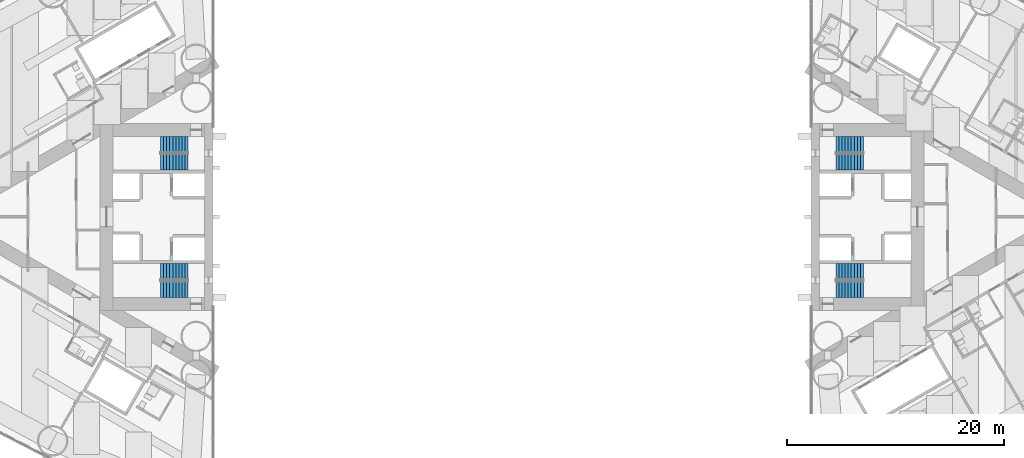
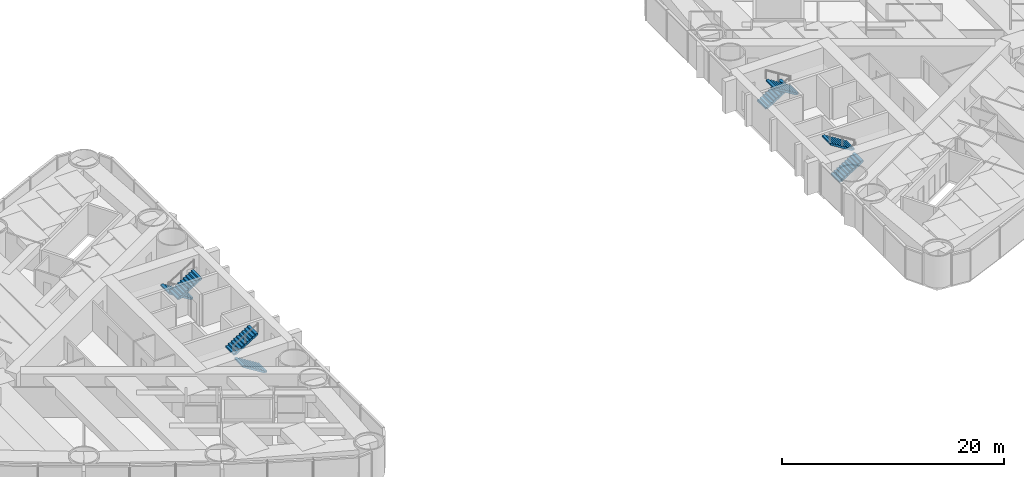
# One storey, part 17 of 19: 8 stair flights, 4 elements without a shape of their own.
"""IFC4 building model written with IfcOpenShell, lengths in metres."""

import ifcopenshell
import ifcopenshell.guid

model = None  # the IFC model being written
_history = None  # IfcOwnerHistory: only IFC2X3 demands one
_inside = {}  # id of a spatial element -> (the spatial element, [elements in it])
_under = {}  # id of a project, library or spatial element -> (it, [spatial elements below it])
_declared = {}  # id of a project -> (the project, [libraries it declares])
_typed = {}  # id of a type object -> (the type object, [elements of that type])
_made_of = {}  # id of a material, layer set ... -> (it, [elements and type objects made of it])


def new_model(schema):
    """Start an empty IFC model of exactly this schema.

    Asked for "IFC4X3", IfcOpenShell would pick the latest addendum, in which some entities
    have other attributes; the version numbers below select the first issue.
    IFC2X3 requires an IfcOwnerHistory on every rooted entity: one is made here for all.
    """
    global model, _history
    if schema == "IFC4X3":
        model = ifcopenshell.file(schema_version=(4, 3, 0, 0))
    else:
        model = ifcopenshell.file(schema=schema)
    _inside.clear()
    _under.clear()
    _declared.clear()
    _typed.clear()
    _made_of.clear()
    _history = None
    if model.schema == "IFC2X3":
        org = make("IfcOrganization", Name="unknown")
        user = make(
            "IfcPersonAndOrganization",
            ThePerson=make("IfcPerson", FamilyName="unknown"),
            TheOrganization=org,
        )
        app = make(
            "IfcApplication",
            ApplicationDeveloper=org,
            Version="unknown",
            ApplicationFullName="unknown",
            ApplicationIdentifier="unknown",
        )
        _history = make(
            "IfcOwnerHistory",
            OwningUser=user,
            OwningApplication=app,
            ChangeAction="ADDED",
            CreationDate=0,
        )
    return model


def make(cls, **values):
    """One entity of the class cls with the attributes given. An attribute that is None is left unset."""
    return model.create_entity(
        cls, **{name: value for name, value in values.items() if value is not None}
    )


def rooted(cls, **values):
    """An entity with a GlobalId (a new one), such as an element, a storey or a relation."""
    return make(cls, GlobalId=ifcopenshell.guid.new(), OwnerHistory=_history, **values)


def si_unit(unit_type, name, prefix=None):
    """IfcSIUnit, for example si_unit("LENGTHUNIT", "METRE", prefix="MILLI")."""
    return make("IfcSIUnit", UnitType=unit_type, Prefix=prefix, Name=name)


def assignment(units):
    """IfcUnitAssignment: the units of a project."""
    return None if units is None else make("IfcUnitAssignment", Units=units)


def point(xyz):
    """IfcCartesianPoint."""
    return None if xyz is None else make("IfcCartesianPoint", Coordinates=xyz)


def direction(xyz):
    """IfcDirection."""
    return None if xyz is None else make("IfcDirection", DirectionRatios=xyz)


def frame(location, z_axis=None, x_axis=None):
    """IfcAxis2Placement3D, a coordinate frame: its origin and axes. An axis left out is left unset."""
    return make(
        "IfcAxis2Placement3D",
        Location=point(location),
        Axis=direction(z_axis),
        RefDirection=direction(x_axis),
    )


def origin():
    """The frame at (0, 0, 0) with its axes left unset."""
    return frame((0.0, 0.0, 0.0))


def place(relative_to, where):
    """IfcLocalPlacement: puts the frame where relative to a parent placement (None: the world)."""
    return make(
        "IfcLocalPlacement", PlacementRelTo=relative_to, RelativePlacement=where
    )


def context(
    kind, dimensions, precision=None, world=None, true_north=None, identifier=None
):
    """IfcGeometricRepresentationContext, for example the 3D "Model" context."""
    return make(
        "IfcGeometricRepresentationContext",
        ContextIdentifier=identifier,
        ContextType=kind,
        CoordinateSpaceDimension=dimensions,
        Precision=precision,
        WorldCoordinateSystem=world,
        TrueNorth=true_north,
    )


def subcontext(parent, identifier, kind, view, scale=None):
    """IfcGeometricRepresentationSubContext, for example "Body" below "Model"."""
    return make(
        "IfcGeometricRepresentationSubContext",
        ContextIdentifier=identifier,
        ContextType=kind,
        ParentContext=parent,
        TargetScale=scale,
        TargetView=view,
    )


def project(units=None, contexts=None):
    """IfcProject with its units and contexts."""
    return rooted(
        "IfcProject",
        Name="project",
        RepresentationContexts=contexts,
        UnitsInContext=assignment(units),
    )


def spatial(cls, under=None, at=None, **own):
    """A site, building, storey or space (cls), placed at a placement, below another one or the project."""
    s = rooted(cls, ObjectPlacement=at, **own)
    if under is not None:
        _under.setdefault(under.id(), (under, []))[1].append(s)
    return s


def polyline(points):
    """IfcPolyline through the points."""
    return make("IfcPolyline", Points=[point(p) for p in points])


def outline(outer, holes=None, kind="AREA"):
    """IfcArbitraryClosedProfileDef: a profile drawn as a closed curve; with holes, ...WithVoids."""
    if holes is None:
        return make("IfcArbitraryClosedProfileDef", ProfileType=kind, OuterCurve=outer)
    return make(
        "IfcArbitraryProfileDefWithVoids",
        ProfileType=kind,
        OuterCurve=outer,
        InnerCurves=holes,
    )


def extrude(swept, where, along, depth):
    """IfcExtrudedAreaSolid: the profile swept, set in the frame where, extruded along a direction by depth."""
    return make(
        "IfcExtrudedAreaSolid",
        SweptArea=swept,
        Position=where,
        ExtrudedDirection=direction(along),
        Depth=depth,
    )


def shape(context_of_items, identifier, shape_type, items):
    """IfcShapeRepresentation: the items that make up one representation, for example the "Body"."""
    return make(
        "IfcShapeRepresentation",
        ContextOfItems=context_of_items,
        RepresentationIdentifier=identifier,
        RepresentationType=shape_type,
        Items=items,
    )


def material(Name=None, Category=None):
    """IfcMaterial."""
    return make("IfcMaterial", Name=Name, Category=Category)


def made_of(thing, what):
    """Note that an element or type object is made of a material, layer set ...; save() writes the relation."""
    if what is not None:
        _made_of.setdefault(what.id(), (what, []))[1].append(thing)
    return thing


def type_object(cls, material=None, **own):
    """A type object (cls), such as IfcWallType, which elements share."""
    return made_of(rooted(cls, **own), material)


def element(
    cls,
    number,
    at=None,
    inside=None,
    cuts=None,
    type_object=None,
    material=None,
    context=None,
    identifier="Body",
    shape_type=None,
    held_by="IfcProductDefinitionShape",
    body=None,
    shapes=None,
    **own,
):
    """One element of the class cls, such as IfcWall. Its Tag is "e" and its number.

    at: its placement. inside: the storey or other place that contains it. cuts: it is an
    opening in that element (IfcRelVoidsElement). A single representation is given by context,
    identifier, shape_type and body (its items); several are given by shapes. held_by: the class
    of the entity that holds the representations. save() writes the other relations.
    """
    e = rooted(cls, Tag="e%d" % number, ObjectPlacement=at, **own)
    if body is not None:
        shapes = [shape(context, identifier, shape_type, body)]
    if shapes is not None:
        e.Representation = make(held_by, Representations=shapes)
    if inside is not None:
        _inside.setdefault(inside.id(), (inside, []))[1].append(e)
    if cuts is not None:
        rooted(
            "IfcRelVoidsElement", RelatingBuildingElement=cuts, RelatedOpeningElement=e
        )
    if type_object is not None:
        _typed.setdefault(type_object.id(), (type_object, []))[1].append(e)
    return made_of(e, material)


def aggregate(whole, parts):
    """IfcRelAggregates: a whole, such as a stair, and the parts it consists of."""
    return rooted("IfcRelAggregates", RelatingObject=whole, RelatedObjects=parts)


def save(model, path):
    """Write the relations noted so far, then the file.

    IfcRelAggregates (storeys below a building ...), IfcRelContainedInSpatialStructure (elements
    in a storey), IfcRelDefinesByType, IfcRelAssociatesMaterial and IfcRelDeclares: one each for
    every whole, place, type object, material and project.
    """
    for whole, parts in _under.values():
        aggregate(whole, parts)
    for where, things in _inside.values():
        rooted(
            "IfcRelContainedInSpatialStructure",
            RelatedElements=things,
            RelatingStructure=where,
        )
    for kind, things in _typed.values():
        rooted("IfcRelDefinesByType", RelatedObjects=things, RelatingType=kind)
    for what, things in _made_of.values():
        rooted("IfcRelAssociatesMaterial", RelatedObjects=things, RelatingMaterial=what)
    for by, libraries in _declared.values():
        rooted("IfcRelDeclares", RelatingContext=by, RelatedDefinitions=libraries)
    model.write(path)


model = new_model("IFC4")

# Units and contexts
model_context = context("Model", 3, precision=1e-05, world=origin(), true_north=direction((0.0, 1.0)))
body_context = subcontext(model_context, "Body", "Model", "MODEL_VIEW")
ifc_project = project(units=[si_unit("LENGTHUNIT", "METRE"), si_unit("AREAUNIT", "SQUARE_METRE"), si_unit("VOLUMEUNIT", "CUBIC_METRE"), si_unit("PLANEANGLEUNIT", "RADIAN"), si_unit("MASSUNIT", "GRAM", prefix="KILO")], contexts=[model_context])

# Site, building, storey
site_placement = place(None, origin())
site = spatial("IfcSite", under=ifc_project, at=site_placement, CompositionType="ELEMENT")
building_placement = place(site_placement, origin())
building = spatial("IfcBuilding", under=site, at=building_placement, Name="Lancet Gate Hotel", CompositionType="ELEMENT")
storey_placement = place(building_placement, frame((0.0, 0.0, 67.0)))
storey = spatial("IfcBuildingStorey", under=building, at=storey_placement, Name="L17", CompositionType="ELEMENT", Elevation=67.0)

# Stair, stair flights
ifc_material_1 = material(Name="Exit stair 20 risers 1500")
stair_type = type_object("IfcStairType", Name="Exit stair 20 risers 1500", PredefinedType="HALF_TURN_STAIR", material=ifc_material_1)
stair_1_placement = place(storey_placement, origin())
stair_1 = element("IfcStair", 1, at=stair_1_placement, inside=storey, type_object=stair_type, Name="T1 stair 1 L17", PredefinedType="HALF_TURN_STAIR")
ifc_material_2 = material(Name="Stair flight 10 risers 175 rise 1500")
stair_flight_type = type_object("IfcStairFlightType", Name="Stair flight 10 risers 175 rise 1500", PredefinedType="STRAIGHT", material=ifc_material_2)
stair_flight_1_placement = place(storey_placement, frame((-29.800048828125, 6.64990234375, 0.0), z_axis=(0.0, 0.0, 1.0), x_axis=(-1.0, 0.0, 0.0)))
stair_flight_1 = element("IfcStairFlight", 2, at=stair_flight_1_placement, type_object=stair_flight_type, Name="ST1 flight 1", NumberOfRisers=10, NumberOfTreads=9, PredefinedType="STRAIGHT", RiserHeight=0.175, TreadLength=0.28, context=body_context, shape_type="SweptSolid", body=[
    extrude(outline(polyline([(0.0, 0.0), (0.0, 0.175048828125), (0.280029296875, 0.175048828125), (0.280029296875, 0.35009765625), (0.56005859375, 0.35009765625), (0.56005859375, 0.52490234375), (0.840087890625, 0.52490234375), (0.840087890625, 0.699951171875), (1.1201171875, 0.699951171875), (1.1201171875, 0.875), (1.39990234375, 0.875), (1.39990234375, 1.050048828125), (1.679931640625, 1.050048828125), (1.679931640625, 1.22509765625), (1.9599609375, 1.22509765625), (1.9599609375, 1.39990234375), (2.239990234375, 1.39990234375), (2.239990234375, 1.574951171875), (2.52001953125, 1.574951171875), (2.52001953125, 1.75), (2.52001953125, 1.398193359375), (0.28271484375, 0.0), (0.0, 0.0)])), frame((0.0, 0.75, 0.0), z_axis=(0.0, -1.0, 0.0), x_axis=(1.0, 0.0, 0.0)), (0.0, 0.0, 1.0), 1.5),
])
stair_flight_2_placement = place(storey_placement, frame((-32.320068359375, 5.050048828125, 1.75), z_axis=(0.0, 0.0, 1.0), x_axis=(1.0, 0.0, 0.0)))
stair_flight_2 = element("IfcStairFlight", 3, at=stair_flight_2_placement, type_object=stair_flight_type, Name="ST1 flight 2", NumberOfRisers=10, NumberOfTreads=9, PredefinedType="STRAIGHT", RiserHeight=0.175, TreadLength=0.28, context=body_context, shape_type="SweptSolid", body=[
    extrude(outline(polyline([(0.0, 0.0), (0.0, 0.175048828125), (0.280029296875, 0.175048828125), (0.280029296875, 0.35009765625), (0.56005859375, 0.35009765625), (0.56005859375, 0.52490234375), (0.840087890625, 0.52490234375), (0.840087890625, 0.699951171875), (1.1201171875, 0.699951171875), (1.1201171875, 0.875), (1.39990234375, 0.875), (1.39990234375, 1.050048828125), (1.679931640625, 1.050048828125), (1.679931640625, 1.22509765625), (1.9599609375, 1.22509765625), (1.9599609375, 1.39990234375), (2.239990234375, 1.39990234375), (2.239990234375, 1.574951171875), (2.52001953125, 1.574951171875), (2.52001953125, 1.75), (2.52001953125, 1.398193359375), (0.28271484375, 0.0), (0.0, 0.0)])), frame((0.0, 0.75, 0.0), z_axis=(0.0, -1.0, 0.0), x_axis=(1.0, 0.0, 0.0)), (0.0, 0.0, 1.0), 1.5),
])
aggregate(stair_1, [stair_flight_1, stair_flight_2])

stair_2_placement = place(storey_placement, origin())
stair_2 = element("IfcStair", 4, at=stair_2_placement, inside=storey, type_object=stair_type, Name="T1 stair 2 L17", PredefinedType="HALF_TURN_STAIR")
stair_flight_3_placement = place(storey_placement, frame((-29.800048828125, -6.64990234375, 0.0), z_axis=(0.0, 0.0, 1.0), x_axis=(-1.0, 0.0, 0.0)))
stair_flight_3 = element("IfcStairFlight", 5, at=stair_flight_3_placement, type_object=stair_flight_type, Name="ST2 flight 1", NumberOfRisers=10, NumberOfTreads=9, PredefinedType="STRAIGHT", RiserHeight=0.175, TreadLength=0.28, context=body_context, shape_type="SweptSolid", body=[
    extrude(outline(polyline([(0.0, 0.0), (0.0, 0.175048828125), (0.280029296875, 0.175048828125), (0.280029296875, 0.35009765625), (0.56005859375, 0.35009765625), (0.56005859375, 0.52490234375), (0.840087890625, 0.52490234375), (0.840087890625, 0.699951171875), (1.1201171875, 0.699951171875), (1.1201171875, 0.875), (1.39990234375, 0.875), (1.39990234375, 1.050048828125), (1.679931640625, 1.050048828125), (1.679931640625, 1.22509765625), (1.9599609375, 1.22509765625), (1.9599609375, 1.39990234375), (2.239990234375, 1.39990234375), (2.239990234375, 1.574951171875), (2.52001953125, 1.574951171875), (2.52001953125, 1.75), (2.52001953125, 1.398193359375), (0.28271484375, 0.0), (0.0, 0.0)])), frame((0.0, 0.75, 0.0), z_axis=(0.0, -1.0, 0.0), x_axis=(1.0, 0.0, 0.0)), (0.0, 0.0, 1.0), 1.5),
])
stair_flight_4_placement = place(storey_placement, frame((-32.320068359375, -5.050048828125, 1.75), z_axis=(0.0, 0.0, 1.0), x_axis=(1.0, 0.0, 0.0)))
stair_flight_4 = element("IfcStairFlight", 6, at=stair_flight_4_placement, type_object=stair_flight_type, Name="ST2 flight 2", NumberOfRisers=10, NumberOfTreads=9, PredefinedType="STRAIGHT", RiserHeight=0.175, TreadLength=0.28, context=body_context, shape_type="SweptSolid", body=[
    extrude(outline(polyline([(0.0, 0.0), (0.0, 0.175048828125), (0.280029296875, 0.175048828125), (0.280029296875, 0.35009765625), (0.56005859375, 0.35009765625), (0.56005859375, 0.52490234375), (0.840087890625, 0.52490234375), (0.840087890625, 0.699951171875), (1.1201171875, 0.699951171875), (1.1201171875, 0.875), (1.39990234375, 0.875), (1.39990234375, 1.050048828125), (1.679931640625, 1.050048828125), (1.679931640625, 1.22509765625), (1.9599609375, 1.22509765625), (1.9599609375, 1.39990234375), (2.239990234375, 1.39990234375), (2.239990234375, 1.574951171875), (2.52001953125, 1.574951171875), (2.52001953125, 1.75), (2.52001953125, 1.398193359375), (0.28271484375, 0.0), (0.0, 0.0)])), frame((0.0, 0.75, 0.0), z_axis=(0.0, -1.0, 0.0), x_axis=(1.0, 0.0, 0.0)), (0.0, 0.0, 1.0), 1.5),
])
aggregate(stair_2, [stair_flight_3, stair_flight_4])

stair_3_placement = place(storey_placement, origin())
stair_3 = element("IfcStair", 7, at=stair_3_placement, inside=storey, type_object=stair_type, Name="T2 stair 1 L17", PredefinedType="HALF_TURN_STAIR")
stair_flight_5_placement = place(storey_placement, frame((29.800048828125, -6.64990234375, 0.0), z_axis=(0.0, 0.0, 1.0), x_axis=(1.0, 0.0, 0.0)))
stair_flight_5 = element("IfcStairFlight", 8, at=stair_flight_5_placement, type_object=stair_flight_type, Name="ST3 flight 1", NumberOfRisers=10, NumberOfTreads=9, PredefinedType="STRAIGHT", RiserHeight=0.175, TreadLength=0.28, context=body_context, shape_type="SweptSolid", body=[
    extrude(outline(polyline([(0.0, 0.0), (0.0, 0.175048828125), (0.280029296875, 0.175048828125), (0.280029296875, 0.35009765625), (0.56005859375, 0.35009765625), (0.56005859375, 0.52490234375), (0.840087890625, 0.52490234375), (0.840087890625, 0.699951171875), (1.1201171875, 0.699951171875), (1.1201171875, 0.875), (1.39990234375, 0.875), (1.39990234375, 1.050048828125), (1.679931640625, 1.050048828125), (1.679931640625, 1.22509765625), (1.9599609375, 1.22509765625), (1.9599609375, 1.39990234375), (2.239990234375, 1.39990234375), (2.239990234375, 1.574951171875), (2.52001953125, 1.574951171875), (2.52001953125, 1.75), (2.52001953125, 1.398193359375), (0.28271484375, 0.0), (0.0, 0.0)])), frame((0.0, 0.75, 0.0), z_axis=(0.0, -1.0, 0.0), x_axis=(1.0, 0.0, 0.0)), (0.0, 0.0, 1.0), 1.5),
])
stair_flight_6_placement = place(storey_placement, frame((32.320068359375, -5.050048828125, 1.75), z_axis=(0.0, 0.0, 1.0), x_axis=(-1.0, 0.0, 0.0)))
stair_flight_6 = element("IfcStairFlight", 9, at=stair_flight_6_placement, type_object=stair_flight_type, Name="ST3 flight 2", NumberOfRisers=10, NumberOfTreads=9, PredefinedType="STRAIGHT", RiserHeight=0.175, TreadLength=0.28, context=body_context, shape_type="SweptSolid", body=[
    extrude(outline(polyline([(0.0, 0.0), (0.0, 0.175048828125), (0.280029296875, 0.175048828125), (0.280029296875, 0.35009765625), (0.56005859375, 0.35009765625), (0.56005859375, 0.52490234375), (0.840087890625, 0.52490234375), (0.840087890625, 0.699951171875), (1.1201171875, 0.699951171875), (1.1201171875, 0.875), (1.39990234375, 0.875), (1.39990234375, 1.050048828125), (1.679931640625, 1.050048828125), (1.679931640625, 1.22509765625), (1.9599609375, 1.22509765625), (1.9599609375, 1.39990234375), (2.239990234375, 1.39990234375), (2.239990234375, 1.574951171875), (2.52001953125, 1.574951171875), (2.52001953125, 1.75), (2.52001953125, 1.398193359375), (0.28271484375, 0.0), (0.0, 0.0)])), frame((0.0, 0.75, 0.0), z_axis=(0.0, -1.0, 0.0), x_axis=(1.0, 0.0, 0.0)), (0.0, 0.0, 1.0), 1.5),
])
aggregate(stair_3, [stair_flight_5, stair_flight_6])

stair_4_placement = place(storey_placement, origin())
stair_4 = element("IfcStair", 10, at=stair_4_placement, inside=storey, type_object=stair_type, Name="T2 stair 2 L17", PredefinedType="HALF_TURN_STAIR")
stair_flight_7_placement = place(storey_placement, frame((29.800048828125, 6.64990234375, 0.0), z_axis=(0.0, 0.0, 1.0), x_axis=(1.0, 0.0, 0.0)))
stair_flight_7 = element("IfcStairFlight", 11, at=stair_flight_7_placement, type_object=stair_flight_type, Name="ST4 flight 1", NumberOfRisers=10, NumberOfTreads=9, PredefinedType="STRAIGHT", RiserHeight=0.175, TreadLength=0.28, context=body_context, shape_type="SweptSolid", body=[
    extrude(outline(polyline([(0.0, 0.0), (0.0, 0.175048828125), (0.280029296875, 0.175048828125), (0.280029296875, 0.35009765625), (0.56005859375, 0.35009765625), (0.56005859375, 0.52490234375), (0.840087890625, 0.52490234375), (0.840087890625, 0.699951171875), (1.1201171875, 0.699951171875), (1.1201171875, 0.875), (1.39990234375, 0.875), (1.39990234375, 1.050048828125), (1.679931640625, 1.050048828125), (1.679931640625, 1.22509765625), (1.9599609375, 1.22509765625), (1.9599609375, 1.39990234375), (2.239990234375, 1.39990234375), (2.239990234375, 1.574951171875), (2.52001953125, 1.574951171875), (2.52001953125, 1.75), (2.52001953125, 1.398193359375), (0.28271484375, 0.0), (0.0, 0.0)])), frame((0.0, 0.75, 0.0), z_axis=(0.0, -1.0, 0.0), x_axis=(1.0, 0.0, 0.0)), (0.0, 0.0, 1.0), 1.5),
])
stair_flight_8_placement = place(storey_placement, frame((32.320068359375, 5.050048828125, 1.75), z_axis=(0.0, 0.0, 1.0), x_axis=(-1.0, 0.0, 0.0)))
stair_flight_8 = element("IfcStairFlight", 12, at=stair_flight_8_placement, type_object=stair_flight_type, Name="ST4 flight 2", NumberOfRisers=10, NumberOfTreads=9, PredefinedType="STRAIGHT", RiserHeight=0.175, TreadLength=0.28, context=body_context, shape_type="SweptSolid", body=[
    extrude(outline(polyline([(0.0, 0.0), (0.0, 0.175048828125), (0.280029296875, 0.175048828125), (0.280029296875, 0.35009765625), (0.56005859375, 0.35009765625), (0.56005859375, 0.52490234375), (0.840087890625, 0.52490234375), (0.840087890625, 0.699951171875), (1.1201171875, 0.699951171875), (1.1201171875, 0.875), (1.39990234375, 0.875), (1.39990234375, 1.050048828125), (1.679931640625, 1.050048828125), (1.679931640625, 1.22509765625), (1.9599609375, 1.22509765625), (1.9599609375, 1.39990234375), (2.239990234375, 1.39990234375), (2.239990234375, 1.574951171875), (2.52001953125, 1.574951171875), (2.52001953125, 1.75), (2.52001953125, 1.398193359375), (0.28271484375, 0.0), (0.0, 0.0)])), frame((0.0, 0.75, 0.0), z_axis=(0.0, -1.0, 0.0), x_axis=(1.0, 0.0, 0.0)), (0.0, 0.0, 1.0), 1.5),
])
aggregate(stair_4, [stair_flight_7, stair_flight_8])

save(model, "model.ifc")
